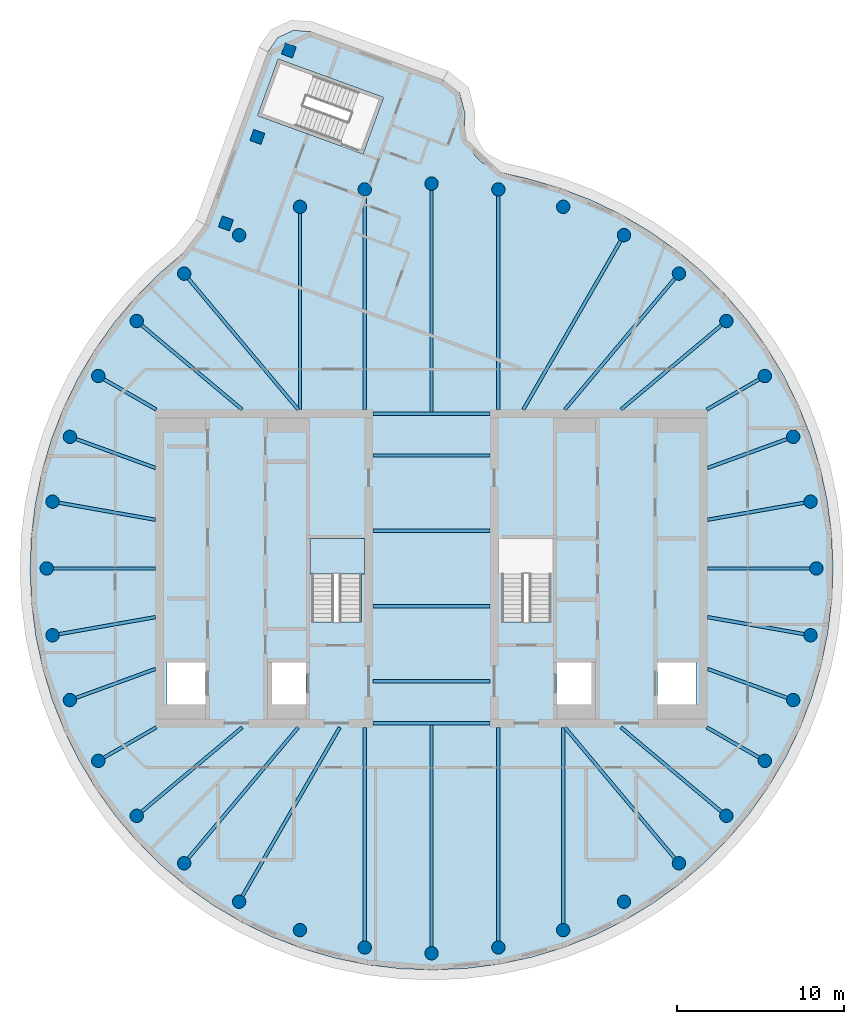
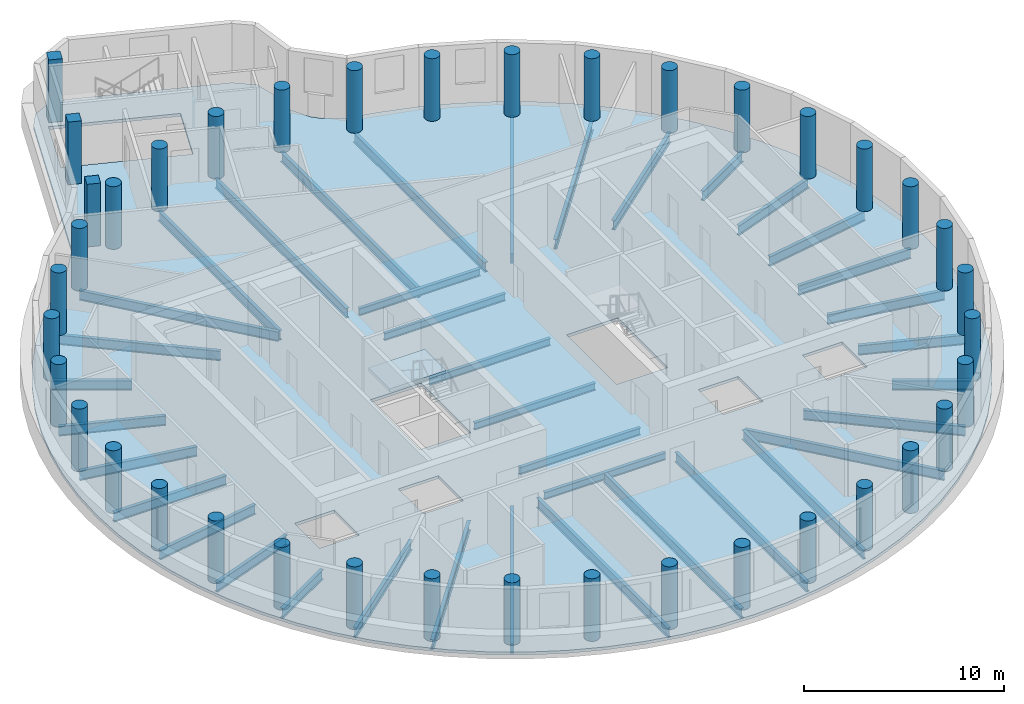
# One storey, part 1 of 7: 39 columns, 38 beams, 2 slabs, 1 element without a shape of its own.
"""IFC4 building model written with IfcOpenShell, lengths in metres."""

from ifc_helpers import new_model, si_unit, direction, frame, origin, origin_2d, place, context, subcontext, project, spatial, polyline, rectangle, circle, i_section, outline, extrude, material, layer, layer_set, material_profile, profile_set, type_object, element, aggregate, save


model = new_model("IFC4")

# Units and contexts
model_context = context("Model", 3, precision=1e-05, world=origin(), true_north=direction((0.0, 1.0)))
body_context = subcontext(model_context, "Body", "Model", "MODEL_VIEW")
ifc_project = project(units=[si_unit("LENGTHUNIT", "METRE"), si_unit("AREAUNIT", "SQUARE_METRE"), si_unit("VOLUMEUNIT", "CUBIC_METRE"), si_unit("PLANEANGLEUNIT", "RADIAN"), si_unit("MASSUNIT", "GRAM", prefix="KILO")], contexts=[model_context])

# Site, building, storey
site_placement = place(None, origin())
site = spatial("IfcSite", under=ifc_project, at=site_placement, CompositionType="ELEMENT")
building_placement = place(site_placement, origin())
building = spatial("IfcBuilding", under=site, at=building_placement, Name="Tamarind Cross Interchange Tower", CompositionType="ELEMENT")
storey_placement = place(building_placement, frame((0.0, 0.0, 317.39990234375)))
storey = spatial("IfcBuildingStorey", under=building, at=storey_placement, Name="L78", CompositionType="ELEMENT", Elevation=317.39990234375)

# Columns
ifc_material_1 = material(Name="Concrete C45", Category="concrete")
ifc_material_profile_1 = material_profile(ifc_material_1, rectangle(XDim=0.699951171875, YDim=0.699951171875, at=origin_2d()), Name="RC 700x700")
ifc_profile_set_1 = profile_set([ifc_material_profile_1], Name="Concrete C45")
column_type_1 = type_object("IfcColumnType", Name="Column RC 700x700 Concrete C45", PredefinedType="COLUMN", material=ifc_profile_set_1)
for number, where, z_axis, x_axis, name in (
    (1, (-8.530029296875, 30.957275390625, -0.179931640625), (0.0, 0.0, 1.0), (0.341993902024, 0.939702171424, 0.0), "Column L78-047"),
    (2, (-10.4111328125, 25.7890625, -0.179931640625), (0.0, 0.0, 1.0), (0.341993902024, 0.939702171424, 0.0), "Column L78-048"),
    (3, (-12.2919921875, 20.62060546875, -0.179931640625), (0.0, 0.0, 1.0), (0.341993902024, 0.939702171424, 0.0), "Column L78-049"),
):
    element("IfcColumn", number, at=place(storey_placement, frame(where, z_axis=z_axis, x_axis=x_axis)), inside=storey, type_object=column_type_1, Name=name, PredefinedType="COLUMN", context=body_context, shape_type="SweptSolid", body=[
        extrude(rectangle(XDim=0.699951171875, YDim=0.699951171875, at=origin_2d()), origin(), (0.0, 0.0, 1.0), 4.0),
    ])
ifc_material_profile_2 = material_profile(ifc_material_1, circle(Radius=0.39990234375, at=origin_2d()), Name="RC D800")
ifc_profile_set_2 = profile_set([ifc_material_profile_2], Name="Concrete C45")
column_type_2 = type_object("IfcColumnType", Name="Column RC D800 Concrete C45", PredefinedType="COLUMN", material=ifc_profile_set_2)
for number, where, z_axis, x_axis, name in (
    (4, (23.0, 0.0, -0.179931640625), (0.0, 0.0, 1.0), (1.0, 0.0, 0.0), "Column L78-000"),
    (5, (22.650634765625, 3.993896484375, -0.179931640625), (0.0, 0.0, 1.0), (1.0, 0.0, 0.0), "Column L78-001"),
    (6, (21.613037109375, 7.866455078125, -0.179931640625), (0.0, 0.0, 1.0), (1.0, 0.0, 0.0), "Column L78-002"),
    (7, (19.918701171875, 11.5, -0.179931640625), (0.0, 0.0, 1.0), (1.0, 0.0, 0.0), "Column L78-003"),
    (8, (17.619140625, 14.7841796875, -0.179931640625), (0.0, 0.0, 1.0), (1.0, 0.0, 0.0), "Column L78-004"),
    (9, (14.7841796875, 17.619140625, -0.179931640625), (0.0, 0.0, 1.0), (1.0, 0.0, 0.0), "Column L78-005"),
    (10, (11.5, 19.918701171875, -0.179931640625), (0.0, 0.0, 1.0), (1.0, 0.0, 0.0), "Column L78-006"),
    (11, (7.866455078125, 21.613037109375, -0.179931640625), (0.0, 0.0, 1.0), (1.0, 0.0, 0.0), "Column L78-007"),
    (12, (3.993896484375, 22.650634765625, -0.179931640625), (0.0, 0.0, 1.0), (1.0, 0.0, 0.0), "Column L78-008"),
    (13, (0.0, 23.0, -0.179931640625), (0.0, 0.0, 1.0), (1.0, 0.0, 0.0), "Column L78-009"),
    (14, (-3.993896484375, 22.650634765625, -0.179931640625), (0.0, 0.0, 1.0), (1.0, 0.0, 0.0), "Column L78-010"),
    (15, (-7.866455078125, 21.613037109375, -0.179931640625), (0.0, 0.0, 1.0), (1.0, 0.0, 0.0), "Column L78-011"),
    (16, (-11.5, 19.918701171875, -0.179931640625), (0.0, 0.0, 1.0), (1.0, 0.0, 0.0), "Column L78-012"),
    (17, (-14.7841796875, 17.619140625, -0.179931640625), (0.0, 0.0, 1.0), (1.0, 0.0, 0.0), "Column L78-013"),
    (18, (-17.619140625, 14.7841796875, -0.179931640625), (0.0, 0.0, 1.0), (1.0, 0.0, 0.0), "Column L78-014"),
    (19, (-19.918701171875, 11.5, -0.179931640625), (0.0, 0.0, 1.0), (1.0, 0.0, 0.0), "Column L78-015"),
    (20, (-21.613037109375, 7.866455078125, -0.179931640625), (0.0, 0.0, 1.0), (1.0, 0.0, 0.0), "Column L78-016"),
    (21, (-22.650634765625, 3.993896484375, -0.179931640625), (0.0, 0.0, 1.0), (1.0, 0.0, 0.0), "Column L78-017"),
    (22, (-23.0, 0.0, -0.179931640625), (0.0, 0.0, 1.0), (1.0, 0.0, 0.0), "Column L78-018"),
    (23, (-22.650634765625, -3.993896484375, -0.179931640625), (0.0, 0.0, 1.0), (1.0, 0.0, 0.0), "Column L78-019"),
    (24, (-21.613037109375, -7.866455078125, -0.179931640625), (0.0, 0.0, 1.0), (1.0, 0.0, 0.0), "Column L78-020"),
    (25, (-19.918701171875, -11.5, -0.179931640625), (0.0, 0.0, 1.0), (1.0, 0.0, 0.0), "Column L78-021"),
    (26, (-17.619140625, -14.7841796875, -0.179931640625), (0.0, 0.0, 1.0), (1.0, 0.0, 0.0), "Column L78-022"),
    (27, (-14.7841796875, -17.619140625, -0.179931640625), (0.0, 0.0, 1.0), (1.0, 0.0, 0.0), "Column L78-023"),
    (28, (-11.5, -19.918701171875, -0.179931640625), (0.0, 0.0, 1.0), (1.0, 0.0, 0.0), "Column L78-024"),
    (29, (-7.866455078125, -21.613037109375, -0.179931640625), (0.0, 0.0, 1.0), (1.0, 0.0, 0.0), "Column L78-025"),
    (30, (-3.993896484375, -22.650634765625, -0.179931640625), (0.0, 0.0, 1.0), (1.0, 0.0, 0.0), "Column L78-026"),
    (31, (0.0, -23.0, -0.179931640625), (0.0, 0.0, 1.0), (1.0, 0.0, 0.0), "Column L78-027"),
    (32, (3.993896484375, -22.650634765625, -0.179931640625), (0.0, 0.0, 1.0), (1.0, 0.0, 0.0), "Column L78-028"),
    (33, (7.866455078125, -21.613037109375, -0.179931640625), (0.0, 0.0, 1.0), (1.0, 0.0, 0.0), "Column L78-029"),
    (34, (11.5, -19.918701171875, -0.179931640625), (0.0, 0.0, 1.0), (1.0, 0.0, 0.0), "Column L78-030"),
    (35, (14.7841796875, -17.619140625, -0.179931640625), (0.0, 0.0, 1.0), (1.0, 0.0, 0.0), "Column L78-031"),
    (36, (17.619140625, -14.7841796875, -0.179931640625), (0.0, 0.0, 1.0), (1.0, 0.0, 0.0), "Column L78-032"),
    (37, (19.918701171875, -11.5, -0.179931640625), (0.0, 0.0, 1.0), (1.0, 0.0, 0.0), "Column L78-033"),
    (38, (21.613037109375, -7.866455078125, -0.179931640625), (0.0, 0.0, 1.0), (1.0, 0.0, 0.0), "Column L78-034"),
    (39, (22.650634765625, -3.993896484375, -0.179931640625), (0.0, 0.0, 1.0), (1.0, 0.0, 0.0), "Column L78-035"),
):
    element("IfcColumn", number, at=place(storey_placement, frame(where, z_axis=z_axis, x_axis=x_axis)), inside=storey, type_object=column_type_2, Name=name, PredefinedType="COLUMN", context=body_context, shape_type="SweptSolid", body=[
        extrude(circle(Radius=0.39990234375, at=origin_2d()), origin(), (0.0, 0.0, 1.0), 4.0),
    ])

# Beams
ifc_material_2 = material(Name="Steel Q355B", Category="steel")
ifc_material_profile_3 = material_profile(ifc_material_2, i_section(OverallWidth=0.198974609375, OverallDepth=0.446044921875, WebThickness=0.008056640625, FlangeThickness=0.011962890625, FilletRadius=0.012939453125, at=origin_2d()), Name="HN 446x199x8x12")
ifc_profile_set_3 = profile_set([ifc_material_profile_3], Name="Steel Q355B")
beam_type_1 = type_object("IfcBeamType", Name="Composite beam HN 446x199x8x12 Q355B", PredefinedType="BEAM", material=ifc_profile_set_3)
for number, where, z_axis, x_axis, name in (
    (40, (-3.5, -2.25, -0.40283203125), (1.0, 0.0, 0.0), (0.0, 1.0, 0.0), "Beam G-2.25"),
    (41, (-3.5, -6.75, -0.40283203125), (1.0, 0.0, 0.0), (0.0, 1.0, 0.0), "Beam G-6.75"),
    (42, (-3.5, -9.25, -0.40283203125), (1.0, 0.0, 0.0), (0.0, 1.0, 0.0), "Beam G-9.25"),
    (43, (-3.5, 2.25, -0.40283203125), (1.0, 0.0, 0.0), (0.0, 1.0, 0.0), "Beam G2.25"),
    (44, (-3.5, 6.75, -0.40283203125), (1.0, 0.0, 0.0), (0.0, 1.0, 0.0), "Beam G6.75"),
    (45, (-3.5, 9.25, -0.40283203125), (1.0, 0.0, 0.0), (0.0, 1.0, 0.0), "Beam G9.25"),
):
    element("IfcBeam", number, at=place(storey_placement, frame(where, z_axis=z_axis, x_axis=x_axis)), inside=storey, type_object=beam_type_1, Name=name, PredefinedType="BEAM", context=body_context, shape_type="SweptSolid", body=[
        extrude(i_section(OverallWidth=0.198974609375, OverallDepth=0.446044921875, WebThickness=0.008056640625, FlangeThickness=0.011962890625, FilletRadius=0.012939453125, at=origin_2d()), origin(), (0.0, 0.0, 1.0), 7.0),
    ])
ifc_material_profile_4 = material_profile(ifc_material_2, i_section(OverallWidth=0.198974609375, OverallDepth=0.595947265625, WebThickness=0.010009765625, FlangeThickness=0.014892578125, FilletRadius=0.012939453125, at=origin_2d()), Name="HN 596x199x10x15")
ifc_profile_set_4 = profile_set([ifc_material_profile_4], Name="Steel Q355B")
beam_type_2 = type_object("IfcBeamType", Name="Composite beam HN 596x199x10x15 Q355B", PredefinedType="BEAM", material=ifc_profile_set_4)
beam_1_placement = place(storey_placement, frame((23.0, 0.0, -0.477783203125), z_axis=(-1.0, 0.0, 0.0), x_axis=(0.0, -1.0, 0.0)))
element("IfcBeam", 46, at=beam_1_placement, inside=storey, type_object=beam_type_2, Name="Beam HH00", PredefinedType="BEAM", context=body_context, shape_type="SweptSolid", body=[
    extrude(i_section(OverallWidth=0.198974609375, OverallDepth=0.595947265625, WebThickness=0.010009765625, FlangeThickness=0.014892578125, FilletRadius=0.012939453125, at=origin_2d()), origin(), (0.0, 0.0, 1.0), 6.5),
])
beam_2_placement = place(storey_placement, frame((22.650634765625, 3.993896484375, -0.477783203125), z_axis=(-0.984809127561, -0.173640382036, 0.0), x_axis=(0.173640382036, -0.984809127561, 0.0)))
element("IfcBeam", 47, at=beam_2_placement, inside=storey, type_object=beam_type_2, Name="Beam HH01", PredefinedType="BEAM", context=body_context, shape_type="SweptSolid", body=[
    extrude(i_section(OverallWidth=0.198974609375, OverallDepth=0.595947265625, WebThickness=0.010009765625, FlangeThickness=0.014892578125, FilletRadius=0.012939453125, at=origin_2d()), origin(), (0.0, 0.0, 1.0), 6.24560546875),
])
beam_3_placement = place(storey_placement, frame((21.613037109375, 7.866455078125, -0.477783203125), z_axis=(-0.939701685589, -0.341995236956, 0.0), x_axis=(0.341995236956, -0.939701685589, 0.0)))
element("IfcBeam", 48, at=beam_3_placement, inside=storey, type_object=beam_type_2, Name="Beam HH02", PredefinedType="BEAM", context=body_context, shape_type="SweptSolid", body=[
    extrude(i_section(OverallWidth=0.198974609375, OverallDepth=0.595947265625, WebThickness=0.010009765625, FlangeThickness=0.014892578125, FilletRadius=0.012939453125, at=origin_2d()), origin(), (0.0, 0.0, 1.0), 5.441162109375),
])
beam_4_placement = place(storey_placement, frame((19.918701171875, 11.5, -0.477783203125), z_axis=(-0.866026010844, -0.49999894854, 0.0), x_axis=(0.49999894854, -0.866026010844, 0.0)))
element("IfcBeam", 49, at=beam_4_placement, inside=storey, type_object=beam_type_2, Name="Beam HH03", PredefinedType="BEAM", context=body_context, shape_type="SweptSolid", body=[
    extrude(i_section(OverallWidth=0.198974609375, OverallDepth=0.595947265625, WebThickness=0.010009765625, FlangeThickness=0.014892578125, FilletRadius=0.012939453125, at=origin_2d()), origin(), (0.0, 0.0, 1.0), 4.0),
])
beam_5_placement = place(storey_placement, frame((17.619140625, 14.7841796875, -0.477783203125), z_axis=(-0.766040580814, -0.642792212574, 0.0), x_axis=(0.642792212574, -0.766040580814, 0.0)))
element("IfcBeam", 50, at=beam_5_placement, inside=storey, type_object=beam_type_2, Name="Beam HH04", PredefinedType="BEAM", context=body_context, shape_type="SweptSolid", body=[
    extrude(i_section(OverallWidth=0.198974609375, OverallDepth=0.595947265625, WebThickness=0.010009765625, FlangeThickness=0.014892578125, FilletRadius=0.012939453125, at=origin_2d()), origin(), (0.0, 0.0, 1.0), 8.220703125),
])
beam_6_placement = place(storey_placement, frame((14.7841796875, 17.619140625, -0.477783203125), z_axis=(-0.642786293979, -0.766045547127, 0.0), x_axis=(0.766045547127, -0.642786293979, 0.0)))
element("IfcBeam", 51, at=beam_6_placement, inside=storey, type_object=beam_type_2, Name="Beam HH05", PredefinedType="BEAM", context=body_context, shape_type="SweptSolid", body=[
    extrude(i_section(OverallWidth=0.198974609375, OverallDepth=0.595947265625, WebThickness=0.010009765625, FlangeThickness=0.014892578125, FilletRadius=0.012939453125, at=origin_2d()), origin(), (0.0, 0.0, 1.0), 10.598876953125),
])
beam_7_placement = place(storey_placement, frame((11.5, 19.918701171875, -0.477783203125), z_axis=(-0.499993565836, -0.866029118519, 0.0), x_axis=(0.866029118519, -0.499993565836, 0.0)))
element("IfcBeam", 52, at=beam_7_placement, inside=storey, type_object=beam_type_2, Name="Beam HH06", PredefinedType="BEAM", context=body_context, shape_type="SweptSolid", body=[
    extrude(i_section(OverallWidth=0.198974609375, OverallDepth=0.595947265625, WebThickness=0.010009765625, FlangeThickness=0.014892578125, FilletRadius=0.012939453125, at=origin_2d()), origin(), (0.0, 0.0, 1.0), 12.030517578125),
])
beam_8_placement = place(storey_placement, frame((3.993896484375, 22.650634765625, -0.477783203125), z_axis=(0.0, -1.0, 0.0), x_axis=(1.0, 0.0, 0.0)))
element("IfcBeam", 53, at=beam_8_placement, inside=storey, type_object=beam_type_2, Name="Beam HH08", PredefinedType="BEAM", context=body_context, shape_type="SweptSolid", body=[
    extrude(i_section(OverallWidth=0.198974609375, OverallDepth=0.595947265625, WebThickness=0.010009765625, FlangeThickness=0.014892578125, FilletRadius=0.012939453125, at=origin_2d()), origin(), (0.0, 0.0, 1.0), 13.150634765625),
])
beam_9_placement = place(storey_placement, frame((0.0, 23.0, -0.477783203125), z_axis=(0.0, -1.0, 0.0), x_axis=(1.0, 0.0, 0.0)))
element("IfcBeam", 54, at=beam_9_placement, inside=storey, type_object=beam_type_2, Name="Beam HH09", PredefinedType="BEAM", context=body_context, shape_type="SweptSolid", body=[
    extrude(i_section(OverallWidth=0.198974609375, OverallDepth=0.595947265625, WebThickness=0.010009765625, FlangeThickness=0.014892578125, FilletRadius=0.012939453125, at=origin_2d()), origin(), (0.0, 0.0, 1.0), 13.75),
])
beam_10_placement = place(storey_placement, frame((-3.993896484375, 22.650634765625, -0.477783203125), z_axis=(0.0, -1.0, 0.0), x_axis=(1.0, 0.0, 0.0)))
element("IfcBeam", 55, at=beam_10_placement, inside=storey, type_object=beam_type_2, Name="Beam HH10", PredefinedType="BEAM", context=body_context, shape_type="SweptSolid", body=[
    extrude(i_section(OverallWidth=0.198974609375, OverallDepth=0.595947265625, WebThickness=0.010009765625, FlangeThickness=0.014892578125, FilletRadius=0.012939453125, at=origin_2d()), origin(), (0.0, 0.0, 1.0), 13.150634765625),
])
beam_11_placement = place(storey_placement, frame((-7.866455078125, 21.613037109375, -0.477783203125), z_axis=(0.0, -1.0, 0.0), x_axis=(1.0, 0.0, 0.0)))
element("IfcBeam", 56, at=beam_11_placement, inside=storey, type_object=beam_type_2, Name="Beam HH11", PredefinedType="BEAM", context=body_context, shape_type="SweptSolid", body=[
    extrude(i_section(OverallWidth=0.198974609375, OverallDepth=0.595947265625, WebThickness=0.010009765625, FlangeThickness=0.014892578125, FilletRadius=0.012939453125, at=origin_2d()), origin(), (0.0, 0.0, 1.0), 12.113037109375),
])
beam_12_placement = place(storey_placement, frame((-14.7841796875, 17.619140625, -0.477783203125), z_axis=(0.642786293979, -0.766045547127, 0.0), x_axis=(0.766045547127, 0.642786293979, 0.0)))
element("IfcBeam", 57, at=beam_12_placement, inside=storey, type_object=beam_type_2, Name="Beam HH13", PredefinedType="BEAM", context=body_context, shape_type="SweptSolid", body=[
    extrude(i_section(OverallWidth=0.198974609375, OverallDepth=0.595947265625, WebThickness=0.010009765625, FlangeThickness=0.014892578125, FilletRadius=0.012939453125, at=origin_2d()), origin(), (0.0, 0.0, 1.0), 10.598876953125),
])
beam_13_placement = place(storey_placement, frame((-17.619140625, 14.7841796875, -0.477783203125), z_axis=(0.766040580814, -0.642792212574, 0.0), x_axis=(0.642792212574, 0.766040580814, 0.0)))
element("IfcBeam", 58, at=beam_13_placement, inside=storey, type_object=beam_type_2, Name="Beam HH14", PredefinedType="BEAM", context=body_context, shape_type="SweptSolid", body=[
    extrude(i_section(OverallWidth=0.198974609375, OverallDepth=0.595947265625, WebThickness=0.010009765625, FlangeThickness=0.014892578125, FilletRadius=0.012939453125, at=origin_2d()), origin(), (0.0, 0.0, 1.0), 8.220703125),
])
beam_14_placement = place(storey_placement, frame((-19.918701171875, 11.5, -0.477783203125), z_axis=(0.866026010844, -0.49999894854, 0.0), x_axis=(0.49999894854, 0.866026010844, 0.0)))
element("IfcBeam", 59, at=beam_14_placement, inside=storey, type_object=beam_type_2, Name="Beam HH15", PredefinedType="BEAM", context=body_context, shape_type="SweptSolid", body=[
    extrude(i_section(OverallWidth=0.198974609375, OverallDepth=0.595947265625, WebThickness=0.010009765625, FlangeThickness=0.014892578125, FilletRadius=0.012939453125, at=origin_2d()), origin(), (0.0, 0.0, 1.0), 4.0),
])
beam_15_placement = place(storey_placement, frame((-21.613037109375, 7.866455078125, -0.477783203125), z_axis=(0.939701685589, -0.341995236956, 0.0), x_axis=(0.341995236956, 0.939701685589, 0.0)))
element("IfcBeam", 60, at=beam_15_placement, inside=storey, type_object=beam_type_2, Name="Beam HH16", PredefinedType="BEAM", context=body_context, shape_type="SweptSolid", body=[
    extrude(i_section(OverallWidth=0.198974609375, OverallDepth=0.595947265625, WebThickness=0.010009765625, FlangeThickness=0.014892578125, FilletRadius=0.012939453125, at=origin_2d()), origin(), (0.0, 0.0, 1.0), 5.441162109375),
])
beam_16_placement = place(storey_placement, frame((-22.650634765625, 3.993896484375, -0.477783203125), z_axis=(0.984809127561, -0.173640382036, 0.0), x_axis=(0.173640382036, 0.984809127561, 0.0)))
element("IfcBeam", 61, at=beam_16_placement, inside=storey, type_object=beam_type_2, Name="Beam HH17", PredefinedType="BEAM", context=body_context, shape_type="SweptSolid", body=[
    extrude(i_section(OverallWidth=0.198974609375, OverallDepth=0.595947265625, WebThickness=0.010009765625, FlangeThickness=0.014892578125, FilletRadius=0.012939453125, at=origin_2d()), origin(), (0.0, 0.0, 1.0), 6.24560546875),
])
beam_17_placement = place(storey_placement, frame((-23.0, 0.0, -0.477783203125), z_axis=(1.0, 0.0, 0.0), x_axis=(0.0, 1.0, 0.0)))
element("IfcBeam", 62, at=beam_17_placement, inside=storey, type_object=beam_type_2, Name="Beam HH18", PredefinedType="BEAM", context=body_context, shape_type="SweptSolid", body=[
    extrude(i_section(OverallWidth=0.198974609375, OverallDepth=0.595947265625, WebThickness=0.010009765625, FlangeThickness=0.014892578125, FilletRadius=0.012939453125, at=origin_2d()), origin(), (0.0, 0.0, 1.0), 6.5),
])
beam_18_placement = place(storey_placement, frame((-22.650634765625, -3.993896484375, -0.477783203125), z_axis=(0.984809127561, 0.173640382036, 0.0), x_axis=(-0.173640382036, 0.984809127561, 0.0)))
element("IfcBeam", 63, at=beam_18_placement, inside=storey, type_object=beam_type_2, Name="Beam HH19", PredefinedType="BEAM", context=body_context, shape_type="SweptSolid", body=[
    extrude(i_section(OverallWidth=0.198974609375, OverallDepth=0.595947265625, WebThickness=0.010009765625, FlangeThickness=0.014892578125, FilletRadius=0.012939453125, at=origin_2d()), origin(), (0.0, 0.0, 1.0), 6.24560546875),
])
beam_19_placement = place(storey_placement, frame((-21.613037109375, -7.866455078125, -0.477783203125), z_axis=(0.939701685589, 0.341995236956, 0.0), x_axis=(-0.341995236956, 0.939701685589, 0.0)))
element("IfcBeam", 64, at=beam_19_placement, inside=storey, type_object=beam_type_2, Name="Beam HH20", PredefinedType="BEAM", context=body_context, shape_type="SweptSolid", body=[
    extrude(i_section(OverallWidth=0.198974609375, OverallDepth=0.595947265625, WebThickness=0.010009765625, FlangeThickness=0.014892578125, FilletRadius=0.012939453125, at=origin_2d()), origin(), (0.0, 0.0, 1.0), 5.441162109375),
])
beam_20_placement = place(storey_placement, frame((-19.918701171875, -11.5, -0.477783203125), z_axis=(0.866026010844, 0.49999894854, 0.0), x_axis=(-0.49999894854, 0.866026010844, 0.0)))
element("IfcBeam", 65, at=beam_20_placement, inside=storey, type_object=beam_type_2, Name="Beam HH21", PredefinedType="BEAM", context=body_context, shape_type="SweptSolid", body=[
    extrude(i_section(OverallWidth=0.198974609375, OverallDepth=0.595947265625, WebThickness=0.010009765625, FlangeThickness=0.014892578125, FilletRadius=0.012939453125, at=origin_2d()), origin(), (0.0, 0.0, 1.0), 4.0),
])
beam_21_placement = place(storey_placement, frame((-17.619140625, -14.7841796875, -0.477783203125), z_axis=(0.766040580814, 0.642792212574, 0.0), x_axis=(-0.642792212574, 0.766040580814, 0.0)))
element("IfcBeam", 66, at=beam_21_placement, inside=storey, type_object=beam_type_2, Name="Beam HH22", PredefinedType="BEAM", context=body_context, shape_type="SweptSolid", body=[
    extrude(i_section(OverallWidth=0.198974609375, OverallDepth=0.595947265625, WebThickness=0.010009765625, FlangeThickness=0.014892578125, FilletRadius=0.012939453125, at=origin_2d()), origin(), (0.0, 0.0, 1.0), 8.220703125),
])
beam_22_placement = place(storey_placement, frame((-14.7841796875, -17.619140625, -0.477783203125), z_axis=(0.642786293979, 0.766045547127, 0.0), x_axis=(-0.766045547127, 0.642786293979, 0.0)))
element("IfcBeam", 67, at=beam_22_placement, inside=storey, type_object=beam_type_2, Name="Beam HH23", PredefinedType="BEAM", context=body_context, shape_type="SweptSolid", body=[
    extrude(i_section(OverallWidth=0.198974609375, OverallDepth=0.595947265625, WebThickness=0.010009765625, FlangeThickness=0.014892578125, FilletRadius=0.012939453125, at=origin_2d()), origin(), (0.0, 0.0, 1.0), 10.598876953125),
])
beam_23_placement = place(storey_placement, frame((-11.5, -19.918701171875, -0.477783203125), z_axis=(0.499993565836, 0.866029118519, 0.0), x_axis=(-0.866029118519, 0.499993565836, 0.0)))
element("IfcBeam", 68, at=beam_23_placement, inside=storey, type_object=beam_type_2, Name="Beam HH24", PredefinedType="BEAM", context=body_context, shape_type="SweptSolid", body=[
    extrude(i_section(OverallWidth=0.198974609375, OverallDepth=0.595947265625, WebThickness=0.010009765625, FlangeThickness=0.014892578125, FilletRadius=0.012939453125, at=origin_2d()), origin(), (0.0, 0.0, 1.0), 12.030517578125),
])
beam_24_placement = place(storey_placement, frame((-3.993896484375, -22.650634765625, -0.477783203125), z_axis=(0.0, 1.0, 0.0), x_axis=(-1.0, 0.0, 0.0)))
element("IfcBeam", 69, at=beam_24_placement, inside=storey, type_object=beam_type_2, Name="Beam HH26", PredefinedType="BEAM", context=body_context, shape_type="SweptSolid", body=[
    extrude(i_section(OverallWidth=0.198974609375, OverallDepth=0.595947265625, WebThickness=0.010009765625, FlangeThickness=0.014892578125, FilletRadius=0.012939453125, at=origin_2d()), origin(), (0.0, 0.0, 1.0), 13.150634765625),
])
beam_25_placement = place(storey_placement, frame((0.0, -23.0, -0.477783203125), z_axis=(0.0, 1.0, 0.0), x_axis=(-1.0, 0.0, 0.0)))
element("IfcBeam", 70, at=beam_25_placement, inside=storey, type_object=beam_type_2, Name="Beam HH27", PredefinedType="BEAM", context=body_context, shape_type="SweptSolid", body=[
    extrude(i_section(OverallWidth=0.198974609375, OverallDepth=0.595947265625, WebThickness=0.010009765625, FlangeThickness=0.014892578125, FilletRadius=0.012939453125, at=origin_2d()), origin(), (0.0, 0.0, 1.0), 13.75),
])
beam_26_placement = place(storey_placement, frame((3.993896484375, -22.650634765625, -0.477783203125), z_axis=(0.0, 1.0, 0.0), x_axis=(-1.0, 0.0, 0.0)))
element("IfcBeam", 71, at=beam_26_placement, inside=storey, type_object=beam_type_2, Name="Beam HH28", PredefinedType="BEAM", context=body_context, shape_type="SweptSolid", body=[
    extrude(i_section(OverallWidth=0.198974609375, OverallDepth=0.595947265625, WebThickness=0.010009765625, FlangeThickness=0.014892578125, FilletRadius=0.012939453125, at=origin_2d()), origin(), (0.0, 0.0, 1.0), 13.150634765625),
])
beam_27_placement = place(storey_placement, frame((7.866455078125, -21.613037109375, -0.477783203125), z_axis=(0.0, 1.0, 0.0), x_axis=(-1.0, 0.0, 0.0)))
element("IfcBeam", 72, at=beam_27_placement, inside=storey, type_object=beam_type_2, Name="Beam HH29", PredefinedType="BEAM", context=body_context, shape_type="SweptSolid", body=[
    extrude(i_section(OverallWidth=0.198974609375, OverallDepth=0.595947265625, WebThickness=0.010009765625, FlangeThickness=0.014892578125, FilletRadius=0.012939453125, at=origin_2d()), origin(), (0.0, 0.0, 1.0), 12.113037109375),
])
beam_28_placement = place(storey_placement, frame((14.7841796875, -17.619140625, -0.477783203125), z_axis=(-0.642786293979, 0.766045547127, 0.0), x_axis=(-0.766045547127, -0.642786293979, 0.0)))
element("IfcBeam", 73, at=beam_28_placement, inside=storey, type_object=beam_type_2, Name="Beam HH31", PredefinedType="BEAM", context=body_context, shape_type="SweptSolid", body=[
    extrude(i_section(OverallWidth=0.198974609375, OverallDepth=0.595947265625, WebThickness=0.010009765625, FlangeThickness=0.014892578125, FilletRadius=0.012939453125, at=origin_2d()), origin(), (0.0, 0.0, 1.0), 10.598876953125),
])
beam_29_placement = place(storey_placement, frame((17.619140625, -14.7841796875, -0.477783203125), z_axis=(-0.766040580814, 0.642792212574, 0.0), x_axis=(-0.642792212574, -0.766040580814, 0.0)))
element("IfcBeam", 74, at=beam_29_placement, inside=storey, type_object=beam_type_2, Name="Beam HH32", PredefinedType="BEAM", context=body_context, shape_type="SweptSolid", body=[
    extrude(i_section(OverallWidth=0.198974609375, OverallDepth=0.595947265625, WebThickness=0.010009765625, FlangeThickness=0.014892578125, FilletRadius=0.012939453125, at=origin_2d()), origin(), (0.0, 0.0, 1.0), 8.220703125),
])
beam_30_placement = place(storey_placement, frame((19.918701171875, -11.5, -0.477783203125), z_axis=(-0.866026010844, 0.49999894854, 0.0), x_axis=(-0.49999894854, -0.866026010844, 0.0)))
element("IfcBeam", 75, at=beam_30_placement, inside=storey, type_object=beam_type_2, Name="Beam HH33", PredefinedType="BEAM", context=body_context, shape_type="SweptSolid", body=[
    extrude(i_section(OverallWidth=0.198974609375, OverallDepth=0.595947265625, WebThickness=0.010009765625, FlangeThickness=0.014892578125, FilletRadius=0.012939453125, at=origin_2d()), origin(), (0.0, 0.0, 1.0), 4.0),
])
beam_31_placement = place(storey_placement, frame((21.613037109375, -7.866455078125, -0.477783203125), z_axis=(-0.939701685589, 0.341995236956, 0.0), x_axis=(-0.341995236956, -0.939701685589, 0.0)))
element("IfcBeam", 76, at=beam_31_placement, inside=storey, type_object=beam_type_2, Name="Beam HH34", PredefinedType="BEAM", context=body_context, shape_type="SweptSolid", body=[
    extrude(i_section(OverallWidth=0.198974609375, OverallDepth=0.595947265625, WebThickness=0.010009765625, FlangeThickness=0.014892578125, FilletRadius=0.012939453125, at=origin_2d()), origin(), (0.0, 0.0, 1.0), 5.441162109375),
])
beam_32_placement = place(storey_placement, frame((22.650634765625, -3.993896484375, -0.477783203125), z_axis=(-0.984809127561, 0.173640382036, 0.0), x_axis=(-0.173640382036, -0.984809127561, 0.0)))
element("IfcBeam", 77, at=beam_32_placement, inside=storey, type_object=beam_type_2, Name="Beam HH35", PredefinedType="BEAM", context=body_context, shape_type="SweptSolid", body=[
    extrude(i_section(OverallWidth=0.198974609375, OverallDepth=0.595947265625, WebThickness=0.010009765625, FlangeThickness=0.014892578125, FilletRadius=0.012939453125, at=origin_2d()), origin(), (0.0, 0.0, 1.0), 6.24560546875),
])

# Slab
ifc_material_3 = material(Name="Concrete C40", Category="concrete")
ifc_layer_1 = layer(ifc_material_3, 0.179931640625)
ifc_layer_set_1 = layer_set([ifc_layer_1], Name="Concrete C40")
slab_type_1 = type_object("IfcSlabType", Name="Composite slab 180 Concrete C40", PredefinedType="FLOOR", material=ifc_layer_set_1)
slab_1_placement = place(storey_placement, frame((0.0, 0.0, -0.179931640625)))
element("IfcSlab", 78, at=slab_1_placement, inside=storey, type_object=slab_type_1, Name="Floor slab L78", PredefinedType="FLOOR", context=body_context, shape_type="SweptSolid", body=[
    extrude(outline(polyline([(-9.18798828125, 31.72900390625), (-9.78173828125, 30.880859375), (-13.54248046875, 20.54736328125), (-14.847900390625, 18.848876953125), (-16.327880859375, 17.584228515625), (-17.72412109375, 16.17578125), (-18.99951171875, 14.656982421875), (-20.14501953125, 13.0380859375), (-21.15283203125, 11.329833984375), (-22.01611328125, 9.54443359375), (-22.72900390625, 7.693603515625), (-23.286865234375, 5.79052734375), (-23.685546875, 3.84765625), (-23.92236328125, 1.878662109375), (-23.99560546875, -0.103271484375), (-23.9052734375, -2.08447265625), (-23.651611328125, -4.051513671875), (-23.236083984375, -5.99072265625), (-22.662109375, -7.88916015625), (-21.93310546875, -9.7333984375), (-21.054443359375, -11.511474609375), (-20.031982421875, -13.2109375), (-18.87255859375, -14.820068359375), (-17.584228515625, -16.327880859375), (-16.17578125, -17.72412109375), (-14.656982421875, -18.99951171875), (-13.0380859375, -20.14501953125), (-11.329833984375, -21.15283203125), (-9.54443359375, -22.01611328125), (-7.693603515625, -22.72900390625), (-5.79052734375, -23.286865234375), (-3.84765625, -23.685546875), (-1.878662109375, -23.92236328125), (0.103271484375, -23.99560546875), (2.08447265625, -23.9052734375), (4.051513671875, -23.651611328125), (5.99072265625, -23.236083984375), (7.88916015625, -22.662109375), (9.7333984375, -21.93310546875), (11.511474609375, -21.054443359375), (13.2109375, -20.031982421875), (14.820068359375, -18.87255859375), (16.327880859375, -17.584228515625), (17.72412109375, -16.17578125), (18.99951171875, -14.656982421875), (20.14501953125, -13.0380859375), (21.15283203125, -11.329833984375), (22.01611328125, -9.54443359375), (22.72900390625, -7.693603515625), (23.286865234375, -5.79052734375), (23.685546875, -3.84765625), (23.92236328125, -1.878662109375), (23.99560546875, 0.103271484375), (23.9052734375, 2.08447265625), (23.651611328125, 4.051513671875), (23.236083984375, 5.99072265625), (22.662109375, 7.88916015625), (21.93310546875, 9.7333984375), (21.054443359375, 11.511474609375), (20.031982421875, 13.2109375), (18.87255859375, 14.820068359375), (17.584228515625, 16.327880859375), (16.17578125, 17.72412109375), (14.656982421875, 18.99951171875), (13.0380859375, 20.14501953125), (11.329833984375, 21.15283203125), (9.54443359375, 22.01611328125), (7.693603515625, 22.72900390625), (5.79052734375, 23.286865234375), (4.106689453125, 23.680908203125), (2.99658203125, 24.276123046875), (2.603515625, 24.663330078125), (2.0615234375, 25.6376953125), (1.940185546875, 26.17578125), (2.004638671875, 27.190673828125), (1.6826171875, 28.412109375), (0.692626953125, 29.197021484375), (-7.218505859375, 32.076171875), (-8.249755859375, 32.16650390625), (-9.18798828125, 31.72900390625)]), holes=[polyline([(-15.800048828125, -5.625), (-13.5, -5.625), (-13.5, -8.125), (-15.800048828125, -8.125), (-15.800048828125, -5.625)]), polyline([(-9.800048828125, -5.625), (-7.5, -5.625), (-7.5, -8.125), (-9.800048828125, -8.125), (-9.800048828125, -5.625)]), polyline([(-4.10009765625, 24.769287109375), (-10.396240234375, 27.060546875), (-10.327880859375, 27.24853515625), (-9.2333984375, 30.255615234375), (-9.1650390625, 30.443603515625), (-2.868896484375, 28.152099609375), (-2.9375, 27.964111328125), (-4.03173828125, 24.957275390625), (-4.10009765625, 24.769287109375)]), polyline([(7.5, -8.125), (7.5, -5.625), (9.800048828125, -5.625), (9.800048828125, -8.125), (7.5, -8.125)]), polyline([(13.5, -8.125), (13.5, -5.625), (15.800048828125, -5.625), (15.800048828125, -8.125), (13.5, -8.125)]), polyline([(-7.14990234375, -3.18798828125), (-7.14990234375, 1.800048828125), (-4.199951171875, 1.800048828125), (-4.199951171875, -3.18798828125), (-7.14990234375, -3.18798828125)]), polyline([(4.199951171875, 1.800048828125), (7.14990234375, 1.800048828125), (7.14990234375, -3.18798828125), (4.199951171875, -3.18798828125), (4.199951171875, 1.800048828125)])]), origin(), (0.0, 0.0, 1.0), 0.179931640625),
])

# Stair, slab
ifc_material_4 = material(Name="Exit stair")
stair_type = type_object("IfcStairType", Name="Exit stair", PredefinedType="HALF_TURN_STAIR", material=ifc_material_4)
stair_placement = place(storey_placement, origin())
stair = element("IfcStair", 79, at=stair_placement, inside=storey, type_object=stair_type, Name="L78 exit stair ST1", PredefinedType="HALF_TURN_STAIR")
ifc_layer_2 = layer(ifc_material_3, 0.199951171875)
ifc_layer_set_2 = layer_set([ifc_layer_2], Name="Concrete C40")
slab_type_2 = type_object("IfcSlabType", Name="Stair landing", PredefinedType="LANDING", material=ifc_layer_set_2)
slab_2_placement = place(storey_placement, frame((0.0, 0.0, 1.800048828125)))
slab_2 = element("IfcSlab", 80, at=slab_2_placement, type_object=slab_type_2, Name="ST1 landing 1", PredefinedType="LANDING", context=body_context, shape_type="SweptSolid", body=[
    extrude(outline(polyline([(-4.0, -0.340087890625), (-4.0, 1.800048828125), (-7.25, 1.800048828125), (-7.25, -0.340087890625), (-4.0, -0.340087890625)])), origin(), (0.0, 0.0, 1.0), 0.199951171875),
])
aggregate(stair, [slab_2])

save(model, "model.ifc")
